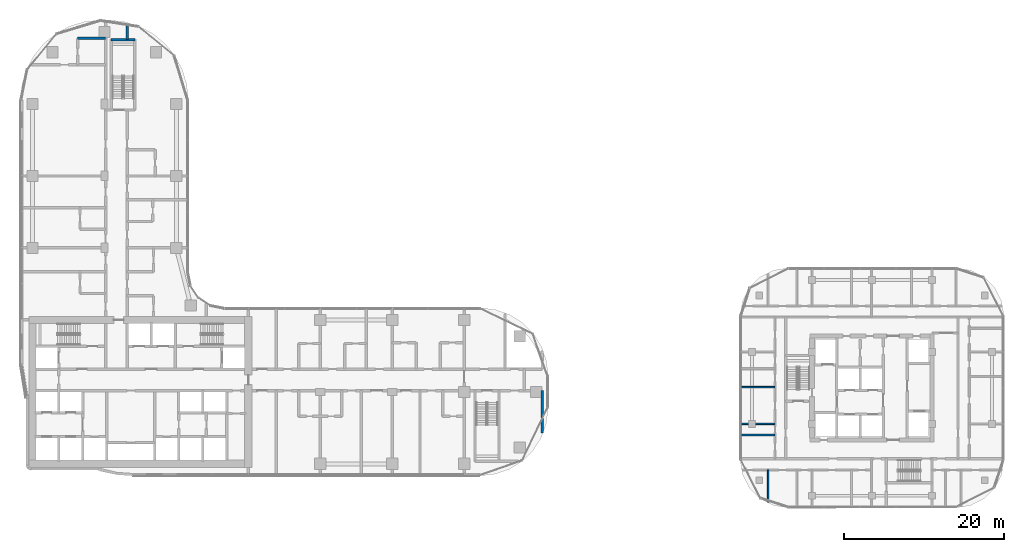
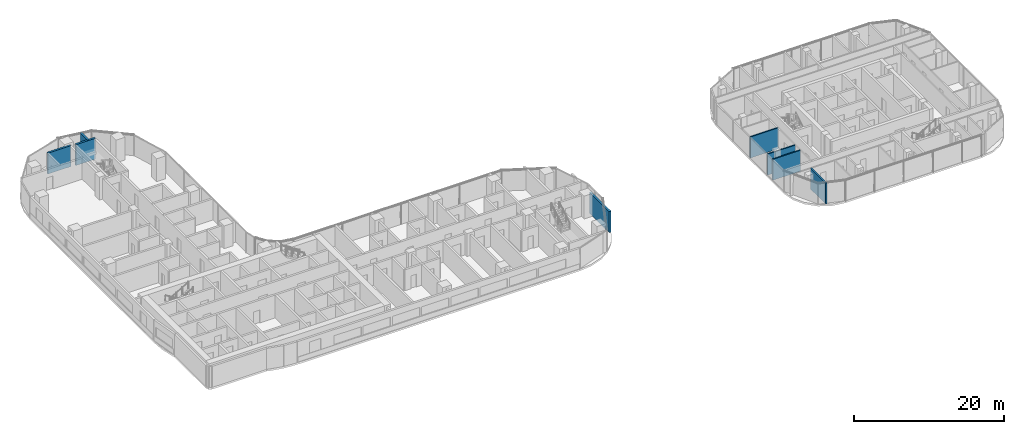
# One storey, part 21 of 33: 8 walls.
"""IFC4 building model written with IfcOpenShell, lengths in metres."""

from ifc_helpers import new_model, si_unit, direction, frame, frame_2d, origin, place, context, subcontext, project, spatial, rectangle, extrude, material, layer, layer_set, type_object, element, save


model = new_model("IFC4")

# Units and contexts
model_context = context("Model", 3, precision=1e-05, world=origin(), true_north=direction((0.0, 1.0)))
body_context = subcontext(model_context, "Body", "Model", "MODEL_VIEW")
ifc_project = project(units=[si_unit("LENGTHUNIT", "METRE"), si_unit("AREAUNIT", "SQUARE_METRE"), si_unit("VOLUMEUNIT", "CUBIC_METRE"), si_unit("PLANEANGLEUNIT", "RADIAN"), si_unit("MASSUNIT", "GRAM", prefix="KILO")], contexts=[model_context])

# Site, building, storey
site_placement = place(None, origin())
site = spatial("IfcSite", under=ifc_project, at=site_placement, CompositionType="ELEMENT")
building_placement = place(site_placement, origin())
building = spatial("IfcBuilding", under=site, at=building_placement, Name="Ogive Portal Towers", CompositionType="ELEMENT")
storey_placement = place(building_placement, frame((0.0, 0.0, 77.89990234375)))
storey = spatial("IfcBuildingStorey", under=building, at=storey_placement, Name="L18", CompositionType="ELEMENT", Elevation=77.89990234375)

# Walls
ifc_material_1 = material(Name="Concrete C50/60", Category="concrete")
ifc_layer_1 = layer(ifc_material_1, 0.300048828125)
ifc_layer_set_1 = layer_set([ifc_layer_1], Name="STAIR WALL 300 C50")
wall_type_1 = type_object("IfcWallType", Name="STAIR WALL 300 C50", PredefinedType="SHEAR", material=ifc_layer_set_1)
wall_1_placement = place(storey_placement, frame((41.35009765625, 74.550048828125, 0.0), z_axis=(0.0, 0.0, 1.0), x_axis=(1.0, 0.0, 0.0)))
element("IfcWall", 1, at=wall_1_placement, inside=storey, type_object=wall_type_1, Name="Stair wall ST-A3 L18", PredefinedType="SHEAR", context=body_context, shape_type="SweptSolid", body=[
    extrude(rectangle(XDim=3.0, YDim=0.300048828125, at=frame_2d((1.5, 0.0))), origin(), (0.0, 0.0, 1.0), 3.400146484375),
])
ifc_material_2 = material(Name="Gypsum board partition on steel studs", Category="steel")
ifc_layer_2 = layer(ifc_material_2, 0.199951171875)
ifc_layer_set_2 = layer_set([ifc_layer_2], Name="WT-PART-200-EI 60")
wall_type_2 = type_object("IfcWallType", Name="WT-PART-200-EI 60", PredefinedType="PARTITIONING", material=ifc_layer_set_2)
for number, where, z_axis, x_axis, name in (
    (2, (120.070068359375, 25.10595703125, 0.0), (0.0, 0.0, 1.0), (1.0, 0.0, 0.0), "Wall L18:w007"),
    (3, (120.070068359375, 26.5, 0.0), (0.0, 0.0, 1.0), (1.0, 0.0, 0.0), "Wall L18:w008"),
    (4, (120.070068359375, 31.091064453125, 0.0), (0.0, 0.0, 1.0), (1.0, 0.0, 0.0), "Wall L18:w011"),
):
    element("IfcWall", number, at=place(storey_placement, frame(where, z_axis=z_axis, x_axis=x_axis)), inside=storey, type_object=wall_type_2, Name=name, PredefinedType="PARTITIONING", context=body_context, shape_type="SweptSolid", body=[
        extrude(rectangle(XDim=4.280029296875, YDim=0.199951171875, at=frame_2d((2.14013671875, 0.0))), origin(), (0.0, 0.0, 1.0), 3.400146484375),
    ])
wall_2_placement = place(storey_placement, frame((123.5, 16.700927734375, 0.0), z_axis=(0.0, 0.0, 1.0), x_axis=(0.0, 1.0, 0.0)))
element("IfcWall", 5, at=wall_2_placement, inside=storey, type_object=wall_type_2, Name="Wall L18:w022", PredefinedType="PARTITIONING", context=body_context, shape_type="SweptSolid", body=[
    extrude(rectangle(XDim=4.049072265625, YDim=0.199951171875, at=frame_2d((2.0244140625, 0.0))), origin(), (0.0, 0.0, 1.0), 3.400146484375),
])
ifc_layer_3 = layer(ifc_material_2, 0.300048828125)
ifc_layer_set_3 = layer_set([ifc_layer_3], Name="WT-PART-300-EI 60")
wall_type_3 = type_object("IfcWallType", Name="WT-PART-300-EI 60", PredefinedType="PARTITIONING", material=ifc_layer_set_3)
wall_3_placement = place(storey_placement, frame((37.14990234375, 74.699951171875, 0.0), z_axis=(0.0, 0.0, 1.0), x_axis=(1.0, 0.0, 0.0)))
element("IfcWall", 6, at=wall_3_placement, inside=storey, type_object=wall_type_3, Name="Wall L18:w029", PredefinedType="PARTITIONING", context=body_context, shape_type="SweptSolid", body=[
    extrude(rectangle(XDim=3.5, YDim=0.300048828125, at=frame_2d((1.75, 0.0))), origin(), (0.0, 0.0, 1.0), 3.400146484375),
])
wall_4_placement = place(storey_placement, frame((95.25, 25.386962890625, 0.0), z_axis=(0.0, 0.0, 1.0), x_axis=(0.0, 1.0, 0.0)))
element("IfcWall", 7, at=wall_4_placement, inside=storey, type_object=wall_type_3, Name="Wall L18:w065", PredefinedType="PARTITIONING", context=body_context, shape_type="SweptSolid", body=[
    extrude(rectangle(XDim=5.262939453125, YDim=0.300048828125, at=frame_2d((2.63134765625, 0.0))), origin(), (0.0, 0.0, 1.0), 3.400146484375),
])
ifc_material_3 = material(Name="Concrete C40/50", Category="concrete")
ifc_layer_4 = layer(ifc_material_3, 0.300048828125)
ifc_layer_set_4 = layer_set([ifc_layer_4], Name="WT-SHAFT-300")
wall_type_4 = type_object("IfcWallType", Name="WT-SHAFT-300", PredefinedType="SOLIDWALL", material=ifc_layer_set_4)
wall_5_placement = place(storey_placement, frame((43.35009765625, 74.550048828125, 0.0), z_axis=(0.0, 0.0, 1.0), x_axis=(0.0, 1.0, 0.0)))
element("IfcWall", 8, at=wall_5_placement, inside=storey, type_object=wall_type_4, Name="Wall L18:w036", PredefinedType="SOLIDWALL", context=body_context, shape_type="SweptSolid", body=[
    extrude(rectangle(XDim=2.02197265625, YDim=0.300048828125, at=frame_2d((1.010986328125, 0.0))), origin(), (0.0, 0.0, 1.0), 3.400146484375),
])

save(model, "model.ifc")
